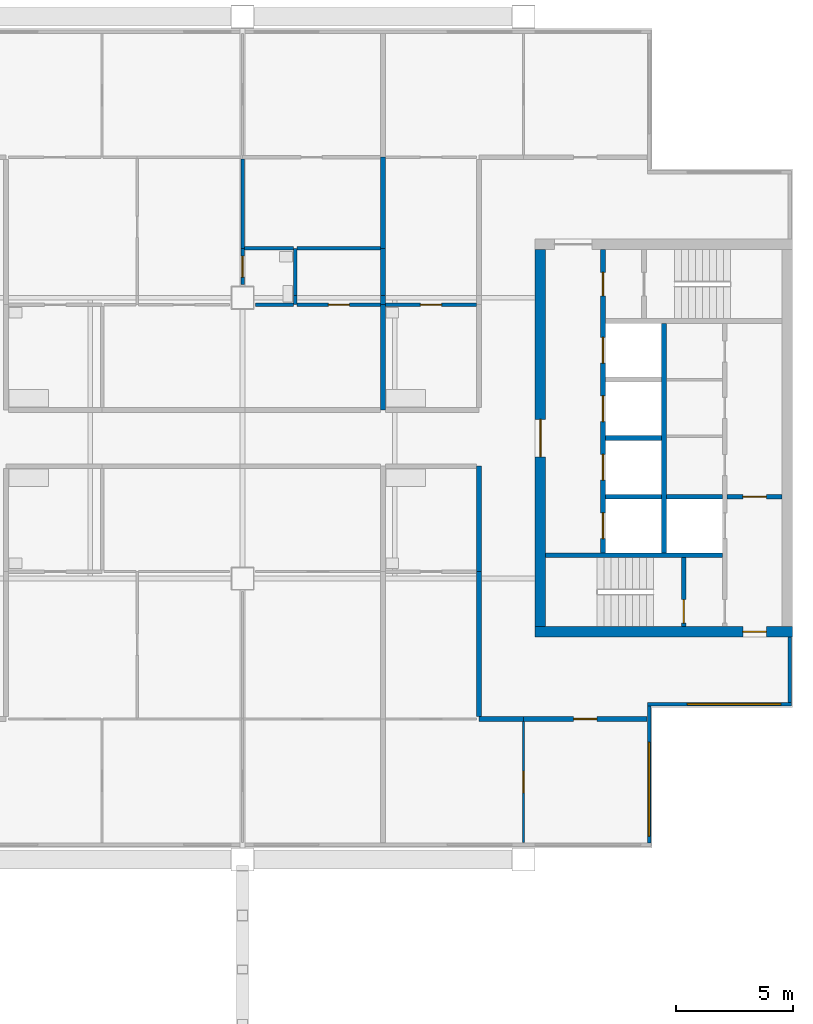
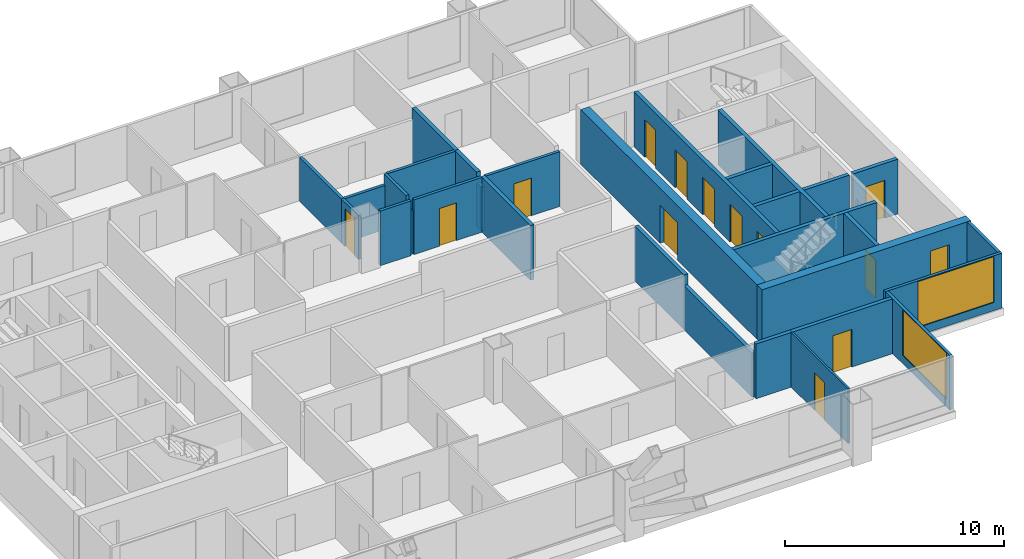
# One storey, part 4 of 8: 31 walls, 14 doors, 2 windows, 16 openings.
"""IFC4 building model written with IfcOpenShell, lengths in metres."""

from ifc_helpers import new_model, si_unit, direction, frame, frame_2d, origin, place, context, subcontext, project, spatial, rectangle, extrude, material, layer, layer_set, type_object, element, fill, save


model = new_model("IFC4")

# Units and contexts
model_context = context("Model", 3, precision=1e-05, world=origin(), true_north=direction((0.0, 1.0)))
body_context = subcontext(model_context, "Body", "Model", "MODEL_VIEW")
ifc_project = project(units=[si_unit("LENGTHUNIT", "METRE"), si_unit("AREAUNIT", "SQUARE_METRE"), si_unit("VOLUMEUNIT", "CUBIC_METRE"), si_unit("PLANEANGLEUNIT", "RADIAN"), si_unit("MASSUNIT", "GRAM", prefix="KILO")], contexts=[model_context])

# Site, building, storey
site_placement = place(None, origin())
site = spatial("IfcSite", under=ifc_project, at=site_placement, CompositionType="ELEMENT")
building_placement = place(site_placement, origin())
building = spatial("IfcBuilding", under=site, at=building_placement, Name="Kitamizu Gate Tower and Museum", CompositionType="ELEMENT")
storey_placement = place(building_placement, frame((0.0, 0.0, 266.25)))
storey = spatial("IfcBuildingStorey", under=building, at=storey_placement, Name="L72", CompositionType="ELEMENT", Elevation=266.25)

# Wall, opening, door
ifc_material_1 = material(Name="Concrete Fc42", Category="concrete")
ifc_layer_1 = layer(ifc_material_1, 0.449951171875)
ifc_layer_set_1 = layer_set([ifc_layer_1], Name="Concrete Fc42")
wall_type_1 = type_object("IfcWallType", Name="Core wall 450 EI 90", PredefinedType="SHEAR", material=ifc_layer_set_1)
wall_1_placement = place(storey_placement, frame((59.5, 21.72509765625, 0.0), z_axis=(0.0, 0.0, 1.0), x_axis=(-1.0, 0.0, 0.0)))
wall_1 = element("IfcWall", 1, at=wall_1_placement, inside=storey, type_object=wall_type_1, Name="Core wall ES", PredefinedType="SHEAR", context=body_context, shape_type="SweptSolid", body=[
    extrude(rectangle(XDim=11.0, YDim=0.449951171875, at=frame_2d((5.5, 0.0))), origin(), (0.0, 0.0, 1.0), 3.050048828125),
])
opening_1_placement = place(wall_1_placement, frame((1.125, 0.0, 0.0)))
opening_1 = element("IfcOpeningElement", 2, at=opening_1_placement, cuts=wall_1, Name="Opening L72-045", PredefinedType="OPENING", context=body_context, shape_type="SweptSolid", body=[
    extrude(rectangle(XDim=1.0, YDim=2.10009765625, at=frame_2d((0.5, 1.050048828125))), frame((0.0, 0.23486328125, 0.0), z_axis=(0.0, -1.0, 0.0), x_axis=(1.0, 0.0, 0.0)), (0.0, 0.0, 1.0), 0.469970703125),
])
ifc_material_2 = material(Name="Hollow metal door set")
door_type_1 = type_object("IfcDoorType", Name="Fire door 1000", OperationType="NOTDEFINED", PredefinedType="DOOR", material=ifc_material_2)
door_1_placement = place(opening_1_placement, frame((1.0, 0.0, 0.0), x_axis=(-1.0, 0.0, 0.0)))
door_1 = element("IfcDoor", 3, at=door_1_placement, inside=storey, type_object=door_type_1, Name="Fire-fighting lobby door L72-045", OperationType="SINGLE_SWING_LEFT", OverallHeight=2.10009765625, OverallWidth=1.0, PredefinedType="DOOR", context=body_context, shape_type="SweptSolid", body=[
    extrude(rectangle(XDim=1.0, YDim=2.10009765625, at=frame_2d((0.5, 1.050048828125))), frame((0.0, 0.02490234375, 0.0), z_axis=(0.0, -1.0, 0.0), x_axis=(1.0, 0.0, 0.0)), (0.0, 0.0, 1.0), 0.050048828125),
])
fill(opening_1, door_1)

wall_2_placement = place(storey_placement, frame((48.72509765625, 21.949951171875, 0.0), z_axis=(0.0, 0.0, 1.0), x_axis=(0.0, 1.0, 0.0)))
wall_2 = element("IfcWall", 4, at=wall_2_placement, inside=storey, type_object=wall_type_1, Name="Core wall EARC", PredefinedType="SHEAR", context=body_context, shape_type="SweptSolid", body=[
    extrude(rectangle(XDim=16.10009765625, YDim=0.449951171875, at=frame_2d((8.050048828125, 0.0))), origin(), (0.0, 0.0, 1.0), 3.050048828125),
])
opening_2_placement = place(wall_2_placement, frame((7.25, 0.0, 0.0)))
opening_2 = element("IfcOpeningElement", 5, at=opening_2_placement, cuts=wall_2, Name="Opening L72-047", PredefinedType="OPENING", context=body_context, shape_type="SweptSolid", body=[
    extrude(rectangle(XDim=1.60009765625, YDim=2.10009765625, at=frame_2d((0.800048828125, 1.050048828125))), frame((0.0, 0.23486328125, 0.0), z_axis=(0.0, -1.0, 0.0), x_axis=(1.0, 0.0, 0.0)), (0.0, 0.0, 1.0), 0.469970703125),
])
ifc_material_3 = material(Name="Timber door set", Category="wood")
door_type_2 = type_object("IfcDoorType", Name="Entrance door 1600", OperationType="DOUBLE_DOOR_SINGLE_SWING", PredefinedType="DOOR", material=ifc_material_3)
door_2_placement = place(opening_2_placement, origin())
door_2 = element("IfcDoor", 6, at=door_2_placement, inside=storey, type_object=door_type_2, Name="Lobby door L72-047", OperationType="DOUBLE_DOOR_SINGLE_SWING", OverallHeight=2.10009765625, OverallWidth=1.60009765625, PredefinedType="DOOR", context=body_context, shape_type="SweptSolid", body=[
    extrude(rectangle(XDim=1.60009765625, YDim=2.10009765625, at=frame_2d((0.800048828125, 1.050048828125))), frame((0.0, 0.02490234375, 0.0), z_axis=(0.0, -1.0, 0.0), x_axis=(1.0, 0.0, 0.0)), (0.0, 0.0, 1.0), 0.050048828125),
])
fill(opening_2, door_2)

ifc_material_4 = material(Name="Gypsum board on galvanised stud")
ifc_layer_2 = layer(ifc_material_4, 0.10009765625)
ifc_layer_set_2 = layer_set([ifc_layer_2], Name="Gypsum board on galvanised stud")
wall_type_2 = type_object("IfcWallType", Name="Partition 100 NOT RATED", PredefinedType="PARTITIONING", material=ifc_layer_set_2)
wall_3_placement = place(storey_placement, frame((48.0, 12.719970703125, 0.0), z_axis=(0.0, 0.0, 1.0), x_axis=(0.0, 1.0, 0.0)))
wall_3 = element("IfcWall", 7, at=wall_3_placement, inside=storey, type_object=wall_type_2, Name="Partition L72-059", PredefinedType="PARTITIONING", context=body_context, shape_type="SweptSolid", body=[
    extrude(rectangle(XDim=5.179931640625, YDim=0.10009765625, at=frame_2d((2.58984375, 0.0))), origin(), (0.0, 0.0, 1.0), 3.050048828125),
])
opening_3_placement = place(wall_3_placement, frame((2.139892578125, 0.0, 0.0)))
opening_3 = element("IfcOpeningElement", 8, at=opening_3_placement, cuts=wall_3, Name="Opening L72-022", PredefinedType="OPENING", context=body_context, shape_type="SweptSolid", body=[
    extrude(rectangle(XDim=0.89990234375, YDim=2.10009765625, at=frame_2d((0.449951171875, 1.050048828125))), frame((0.0, 0.06005859375, 0.0), z_axis=(0.0, -1.0, 0.0), x_axis=(1.0, 0.0, 0.0)), (0.0, 0.0, 1.0), 0.1201171875),
])
ifc_material_5 = material(Name="Timber door set", Category="wood")
door_type_3 = type_object("IfcDoorType", Name="Room door 900", OperationType="NOTDEFINED", PredefinedType="DOOR", material=ifc_material_5)
door_3_placement = place(opening_3_placement, origin())
door_3 = element("IfcDoor", 9, at=door_3_placement, inside=storey, type_object=door_type_3, Name="Door L72-022", OperationType="SINGLE_SWING_LEFT", OverallHeight=2.10009765625, OverallWidth=0.89990234375, PredefinedType="DOOR", context=body_context, shape_type="SweptSolid", body=[
    extrude(rectangle(XDim=0.89990234375, YDim=2.10009765625, at=frame_2d((0.449951171875, 1.050048828125))), frame((0.0, 0.02490234375, 0.0), z_axis=(0.0, -1.0, 0.0), x_axis=(1.0, 0.0, 0.0)), (0.0, 0.0, 1.0), 0.050048828125),
])
fill(opening_3, door_3)

ifc_material_6 = material(Name="Gypsum board on galvanised stud")
ifc_layer_3 = layer(ifc_material_6, 0.14990234375)
ifc_layer_set_3 = layer_set([ifc_layer_3], Name="Gypsum board on galvanised stud")
wall_type_3 = type_object("IfcWallType", Name="Partition 150", PredefinedType="PARTITIONING", material=ifc_layer_set_3)
wall_4_placement = place(storey_placement, frame((36.0, 36.550048828125, 0.0), z_axis=(0.0, 0.0, 1.0), x_axis=(0.0, 1.0, 0.0)))
wall_4 = element("IfcWall", 10, at=wall_4_placement, inside=storey, type_object=wall_type_3, Name="Partition L72-041", PredefinedType="PARTITIONING", context=body_context, shape_type="SweptSolid", body=[
    extrude(rectangle(XDim=1.550048828125, YDim=0.14990234375, at=frame_2d((0.77490234375, 0.0))), origin(), (0.0, 0.0, 1.0), 2.449951171875),
])
opening_4_placement = place(wall_4_placement, frame((0.324951171875, 0.0, 0.0)))
opening_4 = element("IfcOpeningElement", 11, at=opening_4_placement, cuts=wall_4, Name="Opening L72-016", PredefinedType="OPENING", context=body_context, shape_type="SweptSolid", body=[
    extrude(rectangle(XDim=0.89990234375, YDim=2.10009765625, at=frame_2d((0.449951171875, 1.050048828125))), frame((0.0, 0.0849609375, 0.0), z_axis=(0.0, -1.0, 0.0), x_axis=(1.0, 0.0, 0.0)), (0.0, 0.0, 1.0), 0.169921875),
])
ifc_material_7 = material(Name="Timber door set", Category="wood")
door_type_4 = type_object("IfcDoorType", Name="Bathroom door 900", OperationType="NOTDEFINED", PredefinedType="DOOR", material=ifc_material_7)
door_4_placement = place(opening_4_placement, frame((0.89990234375, 0.0, 0.0), x_axis=(-1.0, 0.0, 0.0)))
door_4 = element("IfcDoor", 12, at=door_4_placement, inside=storey, type_object=door_type_4, Name="Bathroom door L72-016", OperationType="SINGLE_SWING_RIGHT", OverallHeight=2.10009765625, OverallWidth=0.89990234375, PredefinedType="DOOR", context=body_context, shape_type="SweptSolid", body=[
    extrude(rectangle(XDim=0.89990234375, YDim=2.10009765625, at=frame_2d((0.449951171875, 1.050048828125))), frame((0.0, 0.02490234375, 0.0), z_axis=(0.0, -1.0, 0.0), x_axis=(1.0, 0.0, 0.0)), (0.0, 0.0, 1.0), 0.050048828125),
])
fill(opening_4, door_4)

# Walls
wall_5_placement = place(storey_placement, frame((36.0, 38.10009765625, 0.0), z_axis=(0.0, 0.0, 1.0), x_axis=(0.0, 1.0, 0.0)))
element("IfcWall", 13, at=wall_5_placement, inside=storey, type_object=wall_type_3, Name="Partition L72-042", PredefinedType="PARTITIONING", context=body_context, shape_type="SweptSolid", body=[
    extrude(rectangle(XDim=3.824951171875, YDim=0.14990234375, at=frame_2d((1.91259765625, 0.0))), origin(), (0.0, 0.0, 1.0), 2.449951171875),
])
wall_6_placement = place(storey_placement, frame((38.25, 35.699951171875, 0.0), z_axis=(0.0, 0.0, 1.0), x_axis=(0.0, 1.0, 0.0)))
element("IfcWall", 14, at=wall_6_placement, inside=storey, type_object=wall_type_3, Name="Partition L72-044", PredefinedType="PARTITIONING", context=body_context, shape_type="SweptSolid", body=[
    extrude(rectangle(XDim=0.400146484375, YDim=0.14990234375, at=frame_2d((0.2001953125, 0.0))), origin(), (0.0, 0.0, 1.0), 2.449951171875),
])
wall_7_placement = place(storey_placement, frame((38.25, 36.10009765625, 0.0), z_axis=(0.0, 0.0, 1.0), x_axis=(0.0, 1.0, 0.0)))
element("IfcWall", 15, at=wall_7_placement, inside=storey, type_object=wall_type_3, Name="Partition L72-045", PredefinedType="PARTITIONING", context=body_context, shape_type="SweptSolid", body=[
    extrude(rectangle(XDim=2.0, YDim=0.14990234375, at=frame_2d((1.0, 0.0))), origin(), (0.0, 0.0, 1.0), 3.050048828125),
])
wall_8_placement = place(storey_placement, frame((38.175048828125, 38.10009765625, 0.0), z_axis=(0.0, 0.0, 1.0), x_axis=(-1.0, 0.0, 0.0)))
element("IfcWall", 16, at=wall_8_placement, inside=storey, type_object=wall_type_3, Name="Partition L72-046", PredefinedType="PARTITIONING", context=body_context, shape_type="SweptSolid", body=[
    extrude(rectangle(XDim=2.10009765625, YDim=0.14990234375, at=frame_2d((1.050048828125, 0.0))), origin(), (0.0, 0.0, 1.0), 2.449951171875),
])
wall_9_placement = place(storey_placement, frame((36.550048828125, 35.699951171875, 0.0), z_axis=(0.0, 0.0, 1.0), x_axis=(1.0, 0.0, 0.0)))
element("IfcWall", 17, at=wall_9_placement, inside=storey, type_object=wall_type_3, Name="Partition L72-047", PredefinedType="PARTITIONING", context=body_context, shape_type="SweptSolid", body=[
    extrude(rectangle(XDim=1.625, YDim=0.14990234375, at=frame_2d((0.8125, 0.0))), origin(), (0.0, 0.0, 1.0), 3.050048828125),
])
wall_10_placement = place(storey_placement, frame((41.89990234375, 38.10009765625, 0.0), z_axis=(0.0, 0.0, 1.0), x_axis=(-1.0, 0.0, 0.0)))
element("IfcWall", 18, at=wall_10_placement, inside=storey, type_object=wall_type_3, Name="Partition L72-048", PredefinedType="PARTITIONING", context=body_context, shape_type="SweptSolid", body=[
    extrude(rectangle(XDim=3.574951171875, YDim=0.14990234375, at=frame_2d((1.78759765625, 0.0))), origin(), (0.0, 0.0, 1.0), 3.050048828125),
])

# Wall, opening, door
wall_11_placement = place(storey_placement, frame((38.324951171875, 35.699951171875, 0.0), z_axis=(0.0, 0.0, 1.0), x_axis=(1.0, 0.0, 0.0)))
wall_11 = element("IfcWall", 19, at=wall_11_placement, inside=storey, type_object=wall_type_3, Name="Partition L72-049", PredefinedType="PARTITIONING", context=body_context, shape_type="SweptSolid", body=[
    extrude(rectangle(XDim=3.574951171875, YDim=0.14990234375, at=frame_2d((1.78759765625, 0.0))), origin(), (0.0, 0.0, 1.0), 3.050048828125),
])
opening_5_placement = place(wall_11_placement, frame((1.33740234375, 0.0, 0.0)))
opening_5 = element("IfcOpeningElement", 20, at=opening_5_placement, cuts=wall_11, Name="Opening L72-020", PredefinedType="OPENING", context=body_context, shape_type="SweptSolid", body=[
    extrude(rectangle(XDim=0.89990234375, YDim=2.10009765625, at=frame_2d((0.449951171875, 1.050048828125))), frame((0.0, 0.0849609375, 0.0), z_axis=(0.0, -1.0, 0.0), x_axis=(1.0, 0.0, 0.0)), (0.0, 0.0, 1.0), 0.169921875),
])
door_5_placement = place(opening_5_placement, origin())
door_5 = element("IfcDoor", 21, at=door_5_placement, inside=storey, type_object=door_type_4, Name="Bathroom door L72-020", OperationType="SINGLE_SWING_LEFT", OverallHeight=2.10009765625, OverallWidth=0.89990234375, PredefinedType="DOOR", context=body_context, shape_type="SweptSolid", body=[
    extrude(rectangle(XDim=0.89990234375, YDim=2.10009765625, at=frame_2d((0.449951171875, 1.050048828125))), frame((0.0, 0.02490234375, 0.0), z_axis=(0.0, -1.0, 0.0), x_axis=(1.0, 0.0, 0.0)), (0.0, 0.0, 1.0), 0.050048828125),
])
fill(opening_5, door_5)

wall_12_placement = place(storey_placement, frame((42.10009765625, 35.699951171875, 0.0), z_axis=(0.0, 0.0, 1.0), x_axis=(1.0, 0.0, 0.0)))
wall_12 = element("IfcWall", 22, at=wall_12_placement, inside=storey, type_object=wall_type_3, Name="Partition L72-071", PredefinedType="PARTITIONING", context=body_context, shape_type="SweptSolid", body=[
    extrude(rectangle(XDim=3.89990234375, YDim=0.14990234375, at=frame_2d((1.949951171875, 0.0))), origin(), (0.0, 0.0, 1.0), 3.050048828125),
])
opening_6_placement = place(wall_12_placement, frame((1.5, 0.0, 0.0)))
opening_6 = element("IfcOpeningElement", 23, at=opening_6_placement, cuts=wall_12, Name="Opening L72-028", PredefinedType="OPENING", context=body_context, shape_type="SweptSolid", body=[
    extrude(rectangle(XDim=0.89990234375, YDim=2.10009765625, at=frame_2d((0.449951171875, 1.050048828125))), frame((0.0, 0.0849609375, 0.0), z_axis=(0.0, -1.0, 0.0), x_axis=(1.0, 0.0, 0.0)), (0.0, 0.0, 1.0), 0.169921875),
])
door_6_placement = place(opening_6_placement, frame((0.89990234375, 0.0, 0.0), x_axis=(-1.0, 0.0, 0.0)))
door_6 = element("IfcDoor", 24, at=door_6_placement, inside=storey, type_object=door_type_4, Name="Bathroom door L72-028", OperationType="SINGLE_SWING_RIGHT", OverallHeight=2.10009765625, OverallWidth=0.89990234375, PredefinedType="DOOR", context=body_context, shape_type="SweptSolid", body=[
    extrude(rectangle(XDim=0.89990234375, YDim=2.10009765625, at=frame_2d((0.449951171875, 1.050048828125))), frame((0.0, 0.02490234375, 0.0), z_axis=(0.0, -1.0, 0.0), x_axis=(1.0, 0.0, 0.0)), (0.0, 0.0, 1.0), 0.050048828125),
])
fill(opening_6, door_6)

# Walls
ifc_material_8 = material(Name="Gypsum board on galvanised stud")
ifc_layer_4 = layer(ifc_material_8, 0.199951171875)
ifc_layer_set_4 = layer_set([ifc_layer_4], Name="Gypsum board on galvanised stud")
wall_type_4 = type_object("IfcWallType", Name="Partition 200", PredefinedType="PARTITIONING", material=ifc_layer_set_4)
wall_13_placement = place(storey_placement, frame((42.0, 35.699951171875, 0.0), z_axis=(0.0, 0.0, 1.0), x_axis=(0.0, 1.0, 0.0)))
element("IfcWall", 25, at=wall_13_placement, inside=storey, type_object=wall_type_4, Name="Partition L72-050", PredefinedType="PARTITIONING", context=body_context, shape_type="SweptSolid", body=[
    extrude(rectangle(XDim=0.400146484375, YDim=0.199951171875, at=frame_2d((0.2001953125, 0.0))), origin(), (0.0, 0.0, 1.0), 2.449951171875),
])
wall_14_placement = place(storey_placement, frame((42.0, 36.10009765625, 0.0), z_axis=(0.0, 0.0, 1.0), x_axis=(0.0, 1.0, 0.0)))
element("IfcWall", 26, at=wall_14_placement, inside=storey, type_object=wall_type_4, Name="Partition L72-051", PredefinedType="PARTITIONING", context=body_context, shape_type="SweptSolid", body=[
    extrude(rectangle(XDim=2.0, YDim=0.199951171875, at=frame_2d((1.0, 0.0))), origin(), (0.0, 0.0, 1.0), 3.050048828125),
])
wall_15_placement = place(storey_placement, frame((42.0, 38.10009765625, 0.0), z_axis=(0.0, 0.0, 1.0), x_axis=(0.0, 1.0, 0.0)))
element("IfcWall", 27, at=wall_15_placement, inside=storey, type_object=wall_type_4, Name="Partition L72-052", PredefinedType="PARTITIONING", context=body_context, shape_type="SweptSolid", body=[
    extrude(rectangle(XDim=3.89990234375, YDim=0.199951171875, at=frame_2d((1.949951171875, 0.0))), origin(), (0.0, 0.0, 1.0), 3.050048828125),
])
wall_16_placement = place(storey_placement, frame((42.0, 31.199951171875, 0.0), z_axis=(0.0, 0.0, 1.0), x_axis=(0.0, 1.0, 0.0)))
element("IfcWall", 28, at=wall_16_placement, inside=storey, type_object=wall_type_4, Name="Partition L72-056", PredefinedType="PARTITIONING", context=body_context, shape_type="SweptSolid", body=[
    extrude(rectangle(XDim=4.5, YDim=0.199951171875, at=frame_2d((2.25, 0.0))), origin(), (0.0, 0.0, 1.0), 3.050048828125),
])
wall_17_placement = place(storey_placement, frame((48.0, 18.0, 0.0), z_axis=(0.0, 0.0, 1.0), x_axis=(-1.0, 0.0, 0.0)))
element("IfcWall", 29, at=wall_17_placement, inside=storey, type_object=wall_type_4, Name="Partition L72-061", PredefinedType="PARTITIONING", context=body_context, shape_type="SweptSolid", body=[
    extrude(rectangle(XDim=1.89990234375, YDim=0.199951171875, at=frame_2d((0.949951171875, 0.0))), origin(), (0.0, 0.0, 1.0), 3.050048828125),
])

# Wall, opening, door
wall_18_placement = place(storey_placement, frame((53.280029296875, 18.0, 0.0), z_axis=(0.0, 0.0, 1.0), x_axis=(-1.0, 0.0, 0.0)))
wall_18 = element("IfcWall", 30, at=wall_18_placement, inside=storey, type_object=wall_type_4, Name="Partition L72-062", PredefinedType="PARTITIONING", context=body_context, shape_type="SweptSolid", body=[
    extrude(rectangle(XDim=5.280029296875, YDim=0.199951171875, at=frame_2d((2.64013671875, 0.0))), origin(), (0.0, 0.0, 1.0), 3.050048828125),
])
opening_7_placement = place(wall_18_placement, frame((2.139892578125, 0.0, 0.0)))
opening_7 = element("IfcOpeningElement", 31, at=opening_7_placement, cuts=wall_18, Name="Opening L72-021", PredefinedType="OPENING", context=body_context, shape_type="SweptSolid", body=[
    extrude(rectangle(XDim=1.0, YDim=2.10009765625, at=frame_2d((0.5, 1.050048828125))), frame((0.0, 0.10986328125, 0.0), z_axis=(0.0, -1.0, 0.0), x_axis=(1.0, 0.0, 0.0)), (0.0, 0.0, 1.0), 0.219970703125),
])
ifc_material_9 = material(Name="Timber door set", Category="wood")
door_type_5 = type_object("IfcDoorType", Name="Flat entrance door 1000", OperationType="NOTDEFINED", PredefinedType="DOOR", material=ifc_material_9)
door_7_placement = place(opening_7_placement, origin())
door_7 = element("IfcDoor", 32, at=door_7_placement, inside=storey, type_object=door_type_5, Name="Flat entrance door L72-021", OperationType="SINGLE_SWING_RIGHT", OverallHeight=2.10009765625, OverallWidth=1.0, PredefinedType="DOOR", context=body_context, shape_type="SweptSolid", body=[
    extrude(rectangle(XDim=1.0, YDim=2.10009765625, at=frame_2d((0.5, 1.050048828125))), frame((0.0, 0.02490234375, 0.0), z_axis=(0.0, -1.0, 0.0), x_axis=(1.0, 0.0, 0.0)), (0.0, 0.0, 1.0), 0.050048828125),
])
fill(opening_7, door_7)

# Walls
wall_19_placement = place(storey_placement, frame((46.10009765625, 18.10009765625, 0.0), z_axis=(0.0, 0.0, 1.0), x_axis=(0.0, 1.0, 0.0)))
element("IfcWall", 33, at=wall_19_placement, inside=storey, type_object=wall_type_4, Name="Partition L72-064", PredefinedType="PARTITIONING", context=body_context, shape_type="SweptSolid", body=[
    extrude(rectangle(XDim=6.199951171875, YDim=0.199951171875, at=frame_2d((3.10009765625, 0.0))), origin(), (0.0, 0.0, 1.0), 2.449951171875),
])
wall_20_placement = place(storey_placement, frame((46.10009765625, 24.300048828125, 0.0), z_axis=(0.0, 0.0, 1.0), x_axis=(0.0, 1.0, 0.0)))
element("IfcWall", 34, at=wall_20_placement, inside=storey, type_object=wall_type_4, Name="Partition L72-065", PredefinedType="PARTITIONING", context=body_context, shape_type="SweptSolid", body=[
    extrude(rectangle(XDim=4.5, YDim=0.199951171875, at=frame_2d((2.25, 0.0))), origin(), (0.0, 0.0, 1.0), 3.050048828125),
])

# Wall, openings, doors
ifc_material_10 = material(Name="Concrete Fc42", Category="concrete")
ifc_layer_5 = layer(ifc_material_10, 0.199951171875)
ifc_layer_set_5 = layer_set([ifc_layer_5], Name="Concrete Fc42")
wall_type_5 = type_object("IfcWallType", Name="Shaft wall 200", PredefinedType="SOLIDWALL", material=ifc_layer_set_5)
wall_21_placement = place(storey_placement, frame((51.39990234375, 25.10009765625, 0.0), z_axis=(0.0, 0.0, 1.0), x_axis=(0.0, 1.0, 0.0)))
wall_21 = element("IfcWall", 35, at=wall_21_placement, inside=storey, type_object=wall_type_5, Name="Shaft wall EEAST", PredefinedType="SOLIDWALL", context=body_context, shape_type="SweptSolid", body=[
    extrude(rectangle(XDim=12.949951171875, YDim=0.199951171875, at=frame_2d((6.47509765625, 0.0))), origin(), (0.0, 0.0, 1.0), 3.050048828125),
])
opening_8_placement = place(wall_21_placement, frame((0.60009765625, 0.0, 0.0)))
opening_8 = element("IfcOpeningElement", 36, at=opening_8_placement, cuts=wall_21, Name="Opening LD", PredefinedType="OPENING", context=body_context, shape_type="SweptSolid", body=[
    extrude(rectangle(XDim=1.10009765625, YDim=2.10009765625, at=frame_2d((0.550048828125, 1.050048828125))), frame((0.0, 0.10986328125, 0.0), z_axis=(0.0, -1.0, 0.0), x_axis=(1.0, 0.0, 0.0)), (0.0, 0.0, 1.0), 0.219970703125),
])
opening_9_placement = place(wall_21_placement, frame((3.10009765625, 0.0, 0.0)))
opening_9 = element("IfcOpeningElement", 37, at=opening_9_placement, cuts=wall_21, Name="Opening LD", PredefinedType="OPENING", context=body_context, shape_type="SweptSolid", body=[
    extrude(rectangle(XDim=1.10009765625, YDim=2.10009765625, at=frame_2d((0.550048828125, 1.050048828125))), frame((0.0, 0.10986328125, 0.0), z_axis=(0.0, -1.0, 0.0), x_axis=(1.0, 0.0, 0.0)), (0.0, 0.0, 1.0), 0.219970703125),
])
opening_10_placement = place(wall_21_placement, frame((5.60009765625, 0.0, 0.0)))
opening_10 = element("IfcOpeningElement", 38, at=opening_10_placement, cuts=wall_21, Name="Opening LD", PredefinedType="OPENING", context=body_context, shape_type="SweptSolid", body=[
    extrude(rectangle(XDim=1.10009765625, YDim=2.10009765625, at=frame_2d((0.550048828125, 1.050048828125))), frame((0.0, 0.10986328125, 0.0), z_axis=(0.0, -1.0, 0.0), x_axis=(1.0, 0.0, 0.0)), (0.0, 0.0, 1.0), 0.219970703125),
])
opening_11_placement = place(wall_21_placement, frame((8.10009765625, 0.0, 0.0)))
opening_11 = element("IfcOpeningElement", 39, at=opening_11_placement, cuts=wall_21, Name="Opening LD", PredefinedType="OPENING", context=body_context, shape_type="SweptSolid", body=[
    extrude(rectangle(XDim=1.10009765625, YDim=2.10009765625, at=frame_2d((0.550048828125, 1.050048828125))), frame((0.0, 0.10986328125, 0.0), z_axis=(0.0, -1.0, 0.0), x_axis=(1.0, 0.0, 0.0)), (0.0, 0.0, 1.0), 0.219970703125),
])
opening_12_placement = place(wall_21_placement, frame((10.97509765625, 0.0, 0.0)))
opening_12 = element("IfcOpeningElement", 40, at=opening_12_placement, cuts=wall_21, Name="Opening L72-042", PredefinedType="OPENING", context=body_context, shape_type="SweptSolid", body=[
    extrude(rectangle(XDim=1.0, YDim=2.10009765625, at=frame_2d((0.5, 1.050048828125))), frame((0.0, 0.10986328125, 0.0), z_axis=(0.0, -1.0, 0.0), x_axis=(1.0, 0.0, 0.0)), (0.0, 0.0, 1.0), 0.219970703125),
])
door_8_placement = place(opening_12_placement, frame((1.0, 0.0, 0.0), x_axis=(-1.0, 0.0, 0.0)))
door_8 = element("IfcDoor", 41, at=door_8_placement, inside=storey, type_object=door_type_1, Name="Stair lobby door L72-042", OperationType="SINGLE_SWING_RIGHT", OverallHeight=2.10009765625, OverallWidth=1.0, PredefinedType="DOOR", context=body_context, shape_type="SweptSolid", body=[
    extrude(rectangle(XDim=1.0, YDim=2.10009765625, at=frame_2d((0.5, 1.050048828125))), frame((0.0, 0.02490234375, 0.0), z_axis=(0.0, -1.0, 0.0), x_axis=(1.0, 0.0, 0.0)), (0.0, 0.0, 1.0), 0.050048828125),
])
fill(opening_12, door_8)
ifc_material_11 = material(Name="Hollow metal door set")
door_type_6 = type_object("IfcDoorType", Name="Landing door 1100", OperationType="SLIDING_TO_LEFT", PredefinedType="DOOR", material=ifc_material_11)
door_9_placement = place(opening_8_placement, origin())
door_9 = element("IfcDoor", 42, at=door_9_placement, inside=storey, type_object=door_type_6, Name="Landing door ESV1", OperationType="SLIDING_TO_LEFT", OverallHeight=2.10009765625, OverallWidth=1.10009765625, PredefinedType="DOOR", context=body_context, shape_type="SweptSolid", body=[
    extrude(rectangle(XDim=1.10009765625, YDim=2.10009765625, at=frame_2d((0.550048828125, 1.050048828125))), frame((0.0, 0.02490234375, 0.0), z_axis=(0.0, -1.0, 0.0), x_axis=(1.0, 0.0, 0.0)), (0.0, 0.0, 1.0), 0.050048828125),
])
fill(opening_8, door_9)
door_10_placement = place(opening_9_placement, origin())
door_10 = element("IfcDoor", 43, at=door_10_placement, inside=storey, type_object=door_type_6, Name="Landing door EH1", OperationType="SLIDING_TO_LEFT", OverallHeight=2.10009765625, OverallWidth=1.10009765625, PredefinedType="DOOR", context=body_context, shape_type="SweptSolid", body=[
    extrude(rectangle(XDim=1.10009765625, YDim=2.10009765625, at=frame_2d((0.550048828125, 1.050048828125))), frame((0.0, 0.02490234375, 0.0), z_axis=(0.0, -1.0, 0.0), x_axis=(1.0, 0.0, 0.0)), (0.0, 0.0, 1.0), 0.050048828125),
])
fill(opening_9, door_10)
door_11_placement = place(opening_10_placement, origin())
door_11 = element("IfcDoor", 44, at=door_11_placement, inside=storey, type_object=door_type_6, Name="Landing door EH2", OperationType="SLIDING_TO_LEFT", OverallHeight=2.10009765625, OverallWidth=1.10009765625, PredefinedType="DOOR", context=body_context, shape_type="SweptSolid", body=[
    extrude(rectangle(XDim=1.10009765625, YDim=2.10009765625, at=frame_2d((0.550048828125, 1.050048828125))), frame((0.0, 0.02490234375, 0.0), z_axis=(0.0, -1.0, 0.0), x_axis=(1.0, 0.0, 0.0)), (0.0, 0.0, 1.0), 0.050048828125),
])
fill(opening_10, door_11)
door_12_placement = place(opening_11_placement, origin())
door_12 = element("IfcDoor", 45, at=door_12_placement, inside=storey, type_object=door_type_6, Name="Landing door EH3", OperationType="SLIDING_TO_LEFT", OverallHeight=2.10009765625, OverallWidth=1.10009765625, PredefinedType="DOOR", context=body_context, shape_type="SweptSolid", body=[
    extrude(rectangle(XDim=1.10009765625, YDim=2.10009765625, at=frame_2d((0.550048828125, 1.050048828125))), frame((0.0, 0.02490234375, 0.0), z_axis=(0.0, -1.0, 0.0), x_axis=(1.0, 0.0, 0.0)), (0.0, 0.0, 1.0), 0.050048828125),
])
fill(opening_11, door_12)

# Walls
wall_22_placement = place(storey_placement, frame((54.0, 25.10009765625, 0.0), z_axis=(0.0, 0.0, 1.0), x_axis=(0.0, 1.0, 0.0)))
element("IfcWall", 46, at=wall_22_placement, inside=storey, type_object=wall_type_5, Name="Shaft wall EMID", PredefinedType="SOLIDWALL", context=body_context, shape_type="SweptSolid", body=[
    extrude(rectangle(XDim=9.7998046875, YDim=0.199951171875, at=frame_2d((4.89990234375, 0.0))), origin(), (0.0, 0.0, 1.0), 3.050048828125),
])
wall_23_placement = place(storey_placement, frame((56.5, 25.0, 0.0), z_axis=(0.0, 0.0, 1.0), x_axis=(-1.0, 0.0, 0.0)))
element("IfcWall", 47, at=wall_23_placement, inside=storey, type_object=wall_type_5, Name="Shaft wall ESB", PredefinedType="SOLIDWALL", context=body_context, shape_type="SweptSolid", body=[
    extrude(rectangle(XDim=7.550048828125, YDim=0.199951171875, at=frame_2d((3.77490234375, 0.0))), origin(), (0.0, 0.0, 1.0), 3.050048828125),
])

# Wall, opening, door
wall_24_placement = place(storey_placement, frame((59.050048828125, 27.5, 0.0), z_axis=(0.0, 0.0, 1.0), x_axis=(-1.0, 0.0, 0.0)))
wall_24 = element("IfcWall", 48, at=wall_24_placement, inside=storey, type_object=wall_type_5, Name="Shaft wall EFFN", PredefinedType="SOLIDWALL", context=body_context, shape_type="SweptSolid", body=[
    extrude(rectangle(XDim=2.35009765625, YDim=0.199951171875, at=frame_2d((1.175048828125, 0.0))), origin(), (0.0, 0.0, 1.0), 3.050048828125),
])
opening_13_placement = place(wall_24_placement, frame((0.675048828125, 0.0, 0.0)))
opening_13 = element("IfcOpeningElement", 49, at=opening_13_placement, cuts=wall_24, Name="Opening L72-044", PredefinedType="OPENING", context=body_context, shape_type="SweptSolid", body=[
    extrude(rectangle(XDim=1.0, YDim=2.10009765625, at=frame_2d((0.5, 1.050048828125))), frame((0.0, 0.10986328125, 0.0), z_axis=(0.0, -1.0, 0.0), x_axis=(1.0, 0.0, 0.0)), (0.0, 0.0, 1.0), 0.219970703125),
])
door_13_placement = place(opening_13_placement, origin())
door_13 = element("IfcDoor", 50, at=door_13_placement, inside=storey, type_object=door_type_1, Name="Fire-fighting lobby door L72-044", OperationType="SINGLE_SWING_LEFT", OverallHeight=2.10009765625, OverallWidth=1.0, PredefinedType="DOOR", context=body_context, shape_type="SweptSolid", body=[
    extrude(rectangle(XDim=1.0, YDim=2.10009765625, at=frame_2d((0.5, 1.050048828125))), frame((0.0, 0.02490234375, 0.0), z_axis=(0.0, -1.0, 0.0), x_axis=(1.0, 0.0, 0.0)), (0.0, 0.0, 1.0), 0.050048828125),
])
fill(opening_13, door_13)

wall_25_placement = place(storey_placement, frame((54.85009765625, 21.949951171875, 0.0), z_axis=(0.0, 0.0, 1.0), x_axis=(0.0, 1.0, 0.0)))
wall_25 = element("IfcWall", 51, at=wall_25_placement, inside=storey, type_object=wall_type_5, Name="Shaft wall ESZ", PredefinedType="SOLIDWALL", context=body_context, shape_type="SweptSolid", body=[
    extrude(rectangle(XDim=2.949951171875, YDim=0.199951171875, at=frame_2d((1.47509765625, 0.0))), origin(), (0.0, 0.0, 1.0), 3.050048828125),
])
opening_14_placement = place(wall_25_placement, frame((0.14990234375, 0.0, 0.0)))
opening_14 = element("IfcOpeningElement", 52, at=opening_14_placement, cuts=wall_25, Name="Opening L72-040", PredefinedType="OPENING", context=body_context, shape_type="SweptSolid", body=[
    extrude(rectangle(XDim=1.0, YDim=2.10009765625, at=frame_2d((0.5, 1.050048828125))), frame((0.0, 0.10986328125, 0.0), z_axis=(0.0, -1.0, 0.0), x_axis=(1.0, 0.0, 0.0)), (0.0, 0.0, 1.0), 0.219970703125),
])
door_14_placement = place(opening_14_placement, origin())
door_14 = element("IfcDoor", 53, at=door_14_placement, inside=storey, type_object=door_type_1, Name="Stair door L72-040", OperationType="SINGLE_SWING_RIGHT", OverallHeight=2.10009765625, OverallWidth=1.0, PredefinedType="DOOR", context=body_context, shape_type="SweptSolid", body=[
    extrude(rectangle(XDim=1.0, YDim=2.10009765625, at=frame_2d((0.5, 1.050048828125))), frame((0.0, 0.02490234375, 0.0), z_axis=(0.0, -1.0, 0.0), x_axis=(1.0, 0.0, 0.0)), (0.0, 0.0, 1.0), 0.050048828125),
])
fill(opening_14, door_14)

# Walls
for number, where, z_axis, x_axis, name in (
    (54, (56.5, 27.5, 0.0), (0.0, 0.0, 1.0), (-1.0, 0.0, 0.0), "Shaft wall EDVW0"),
    (55, (53.89990234375, 27.5, 0.0), (0.0, 0.0, 1.0), (-1.0, 0.0, 0.0), "Shaft wall EDVE0"),
    (56, (53.89990234375, 30.0, 0.0), (0.0, 0.0, 1.0), (-1.0, 0.0, 0.0), "Shaft wall EDVE1"),
):
    element("IfcWall", number, at=place(storey_placement, frame(where, z_axis=z_axis, x_axis=x_axis)), inside=storey, type_object=wall_type_5, Name=name, PredefinedType="SOLIDWALL", context=body_context, shape_type="SweptSolid", body=[
        extrude(rectangle(XDim=2.39990234375, YDim=0.199951171875, at=frame_2d((1.199951171875, 0.0))), origin(), (0.0, 0.0, 1.0), 3.050048828125),
    ])

# Wall, opening, window
ifc_material_12 = material(Name="Bronze anodised aluminium frame with insulated spandrel and tinted glass", Category="aluminium")
ifc_layer_6 = layer(ifc_material_12, 0.14990234375)
ifc_layer_set_6 = layer_set([ifc_layer_6], Name="Bronze anodised aluminium frame with insulated spandrel and tinted glass")
wall_type_6 = type_object("IfcWallType", Name="WINDOW WALL 150 BRONZE FRAME EI 30", PredefinedType="ELEMENTEDWALL", material=ifc_layer_set_6)
wall_26_placement = place(storey_placement, frame((53.364990234375, 12.7099609375, 0.0), z_axis=(0.0, 0.0, 1.0), x_axis=(0.0, 1.0, 0.0)))
wall_26 = element("IfcWall", 57, at=wall_26_placement, inside=storey, type_object=wall_type_6, Name="Window wall east L72", PredefinedType="ELEMENTEDWALL", context=body_context, shape_type="SweptSolid", body=[
    extrude(rectangle(XDim=5.85009765625, YDim=0.14990234375, at=frame_2d((2.925048828125, 0.0))), origin(), (0.0, 0.0, 1.0), 3.050048828125),
])
opening_15_placement = place(wall_26_placement, frame((0.2900390625, 0.0, 0.449951171875)))
opening_15 = element("IfcOpeningElement", 58, at=opening_15_placement, cuts=wall_26, Name="Opening W16", PredefinedType="OPENING", context=body_context, shape_type="SweptSolid", body=[
    extrude(rectangle(XDim=4.0, YDim=2.550048828125, at=frame_2d((2.0, 1.27490234375))), frame((0.0, 0.0849609375, 0.0), z_axis=(0.0, -1.0, 0.0), x_axis=(1.0, 0.0, 0.0)), (0.0, 0.0, 1.0), 0.169921875),
])
ifc_material_13 = material(Name="Bronze anodised aluminium frame, tinted triple glazing", Category="aluminium")
window_type = type_object("IfcWindowType", Name="WINDOW 4000 x 2550 SILL 450", PartitioningType="SINGLE_PANEL", PredefinedType="WINDOW", material=ifc_material_13)
window_1_placement = place(opening_15_placement, origin())
window_1 = element("IfcWindow", 59, at=window_1_placement, inside=storey, type_object=window_type, Name="Window W16 L72", OverallHeight=2.550048828125, OverallWidth=4.0, PartitioningType="SINGLE_PANEL", PredefinedType="WINDOW", context=body_context, shape_type="SweptSolid", body=[
    extrude(rectangle(XDim=4.0, YDim=2.550048828125, at=frame_2d((2.0, 1.27490234375))), frame((0.0, 0.030029296875, 0.0), z_axis=(0.0, -1.0, 0.0), x_axis=(1.0, 0.0, 0.0)), (0.0, 0.0, 1.0), 0.06005859375),
])
fill(opening_15, window_1)

wall_27_placement = place(storey_placement, frame((53.2900390625, 18.635009765625, 0.0), z_axis=(0.0, 0.0, 1.0), x_axis=(1.0, 0.0, 0.0)))
wall_27 = element("IfcWall", 60, at=wall_27_placement, inside=storey, type_object=wall_type_6, Name="Window wall south L72", PredefinedType="ELEMENTEDWALL", context=body_context, shape_type="SweptSolid", body=[
    extrude(rectangle(XDim=6.14990234375, YDim=0.14990234375, at=frame_2d((3.074951171875, 0.0))), origin(), (0.0, 0.0, 1.0), 3.050048828125),
])
opening_16_placement = place(wall_27_placement, frame((1.7099609375, 0.0, 0.449951171875)))
opening_16 = element("IfcOpeningElement", 61, at=opening_16_placement, cuts=wall_27, Name="Opening W16", PredefinedType="OPENING", context=body_context, shape_type="SweptSolid", body=[
    extrude(rectangle(XDim=4.0, YDim=2.550048828125, at=frame_2d((2.0, 1.27490234375))), frame((0.0, 0.0849609375, 0.0), z_axis=(0.0, -1.0, 0.0), x_axis=(1.0, 0.0, 0.0)), (0.0, 0.0, 1.0), 0.169921875),
])
window_2_placement = place(opening_16_placement, origin())
window_2 = element("IfcWindow", 62, at=window_2_placement, inside=storey, type_object=window_type, Name="Window W16 L72", OverallHeight=2.550048828125, OverallWidth=4.0, PartitioningType="SINGLE_PANEL", PredefinedType="WINDOW", context=body_context, shape_type="SweptSolid", body=[
    extrude(rectangle(XDim=4.0, YDim=2.550048828125, at=frame_2d((2.0, 1.27490234375))), frame((0.0, 0.030029296875, 0.0), z_axis=(0.0, -1.0, 0.0), x_axis=(1.0, 0.0, 0.0)), (0.0, 0.0, 1.0), 0.06005859375),
])
fill(opening_16, window_2)

# Wall
wall_28_placement = place(storey_placement, frame((59.364990234375, 18.7099609375, 0.0), z_axis=(0.0, 0.0, 1.0), x_axis=(0.0, 1.0, 0.0)))
element("IfcWall", 63, at=wall_28_placement, inside=storey, type_object=wall_type_6, Name="Window wall east L72", PredefinedType="ELEMENTEDWALL", context=body_context, shape_type="SweptSolid", body=[
    extrude(rectangle(XDim=2.7900390625, YDim=0.14990234375, at=frame_2d((1.39501953125, 0.0))), origin(), (0.0, 0.0, 1.0), 3.050048828125),
])

save(model, "model.ifc")
